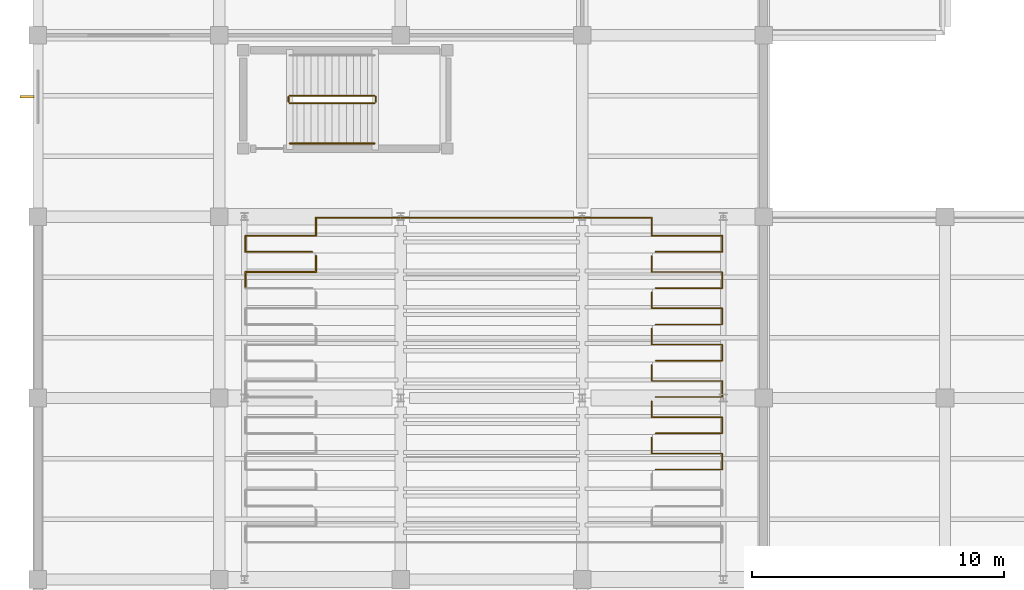
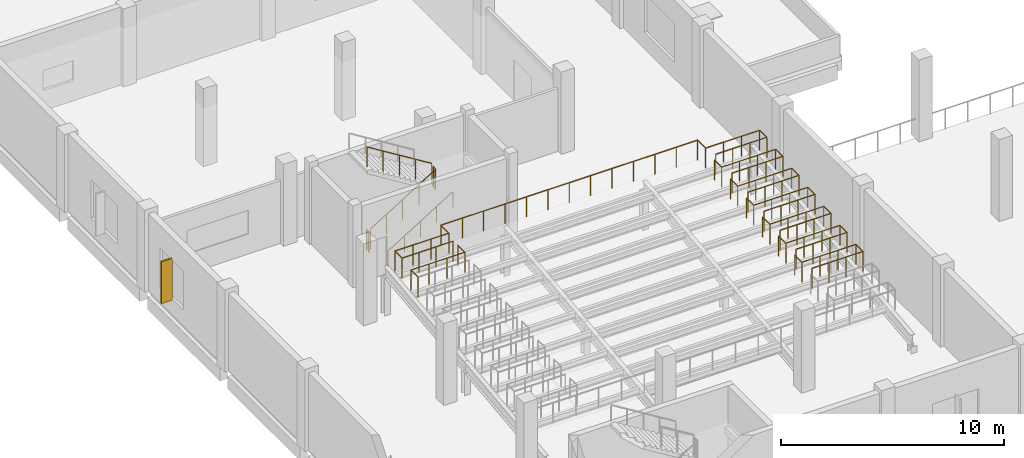
# One storey, part 96 of 108: 14 railings, 1 shading device.
"""IFC4 building model written with IfcOpenShell, lengths in metres."""

from ifc_helpers import new_model, si_unit, direction, frame, origin, origin_2d, place, context, subcontext, project, spatial, rectangle, circle, extrude, material, type_object, element, save


model = new_model("IFC4")

# Units and contexts
model_context = context("Model", 3, precision=1e-05, world=origin(), true_north=direction((0.0, 1.0)))
body_context = subcontext(model_context, "Body", "Model", "MODEL_VIEW")
ifc_project = project(units=[si_unit("LENGTHUNIT", "METRE"), si_unit("AREAUNIT", "SQUARE_METRE"), si_unit("VOLUMEUNIT", "CUBIC_METRE"), si_unit("PLANEANGLEUNIT", "RADIAN"), si_unit("MASSUNIT", "GRAM", prefix="KILO"), si_unit("THERMODYNAMICTEMPERATUREUNIT", "KELVIN"), si_unit("POWERUNIT", "WATT")], contexts=[model_context])

# Site, building, storey
site_placement = place(None, origin())
site = spatial("IfcSite", under=ifc_project, at=site_placement, CompositionType="ELEMENT")
building_placement = place(site_placement, origin())
building = spatial("IfcBuilding", under=site, at=building_placement, Name="Kaldorven Railside Theatre", CompositionType="ELEMENT")
storey_placement = place(building_placement, frame((0.0, 0.0, 5.39990234375)))
storey = spatial("IfcBuildingStorey", under=building, at=storey_placement, Name="L01", CompositionType="ELEMENT", Elevation=5.39990234375)

# Railings
ifc_material_1 = material(Name="Anodised bronze aluminium", Category="aluminium")
railing_type_1 = type_object("IfcRailingType", Name="RLG-BAL-1100", PredefinedType="BALUSTRADE", material=ifc_material_1)
railing_1_placement = place(storey_placement, frame((32.360107421875, 32.0400390625, 1.760009765625)))
element("IfcRailing", 1, at=railing_1_placement, inside=storey, type_object=railing_type_1, Name="L01 Auditorium Tier Safety Guard GR-075", PredefinedType="BALUSTRADE", context=body_context, shape_type="SweptSolid", body=[
    extrude(circle(Radius=0.02392578125, at=origin_2d()), frame((0.0, 0.0, 1.09619140625), z_axis=(0.0, -1.0, 0.0), x_axis=(1.0, 0.0, 0.0)), (0.0, 0.0, 1.0), 0.64013671875),
    extrude(circle(Radius=0.02392578125, at=origin_2d()), frame((0.0, -0.64013671875, 1.09619140625), z_axis=(1.0, 0.0, 0.0), x_axis=(0.0, 1.0, 0.0)), (0.0, 0.0, 1.0), 2.7998046875),
    extrude(circle(Radius=0.02392578125, at=origin_2d()), frame((2.7998046875, -0.64013671875, 1.09619140625), z_axis=(0.0, -1.0, 0.0), x_axis=(1.0, 0.0, 0.0)), (0.0, 0.0, 1.0), 0.639892578125),
    extrude(circle(Radius=0.02392578125, at=origin_2d()), frame((2.7998046875, -1.280029296875, 1.09619140625), z_axis=(-1.0, 0.0, 0.0), x_axis=(0.0, -1.0, 0.0)), (0.0, 0.0, 1.0), 2.64697265625),
    extrude(circle(Radius=0.02099609375, at=origin_2d()), origin(), (0.0, 0.0, 1.0), 1.072021484375),
    extrude(circle(Radius=0.02099609375, at=origin_2d()), frame((0.0, -0.64013671875, 0.0)), (0.0, 0.0, 1.0), 1.072021484375),
    extrude(circle(Radius=0.02099609375, at=origin_2d()), frame((0.933349609375, -0.64013671875, 0.0)), (0.0, 0.0, 1.0), 1.072021484375),
    extrude(circle(Radius=0.02099609375, at=origin_2d()), frame((1.866455078125, -0.64013671875, 0.0)), (0.0, 0.0, 1.0), 1.072021484375),
    extrude(circle(Radius=0.02099609375, at=origin_2d()), frame((2.7998046875, -0.64013671875, 0.0)), (0.0, 0.0, 1.0), 1.072021484375),
    extrude(circle(Radius=0.02099609375, at=origin_2d()), frame((2.7998046875, -1.280029296875, 0.0)), (0.0, 0.0, 1.0), 1.072021484375),
    extrude(circle(Radius=0.02099609375, at=origin_2d()), frame((1.91748046875, -1.280029296875, 0.0)), (0.0, 0.0, 1.0), 1.072021484375),
    extrude(circle(Radius=0.02099609375, at=origin_2d()), frame((1.03515625, -1.280029296875, 0.0)), (0.0, 0.0, 1.0), 1.072021484375),
    extrude(circle(Radius=0.02099609375, at=origin_2d()), frame((0.15283203125, -1.280029296875, 0.0)), (0.0, 0.0, 1.0), 1.072021484375),
])
railing_2_placement = place(storey_placement, frame((32.360107421875, 33.47998046875, 1.93017578125)))
element("IfcRailing", 2, at=railing_2_placement, inside=storey, type_object=railing_type_1, Name="L01 Auditorium Tier Safety Guard GR-078", PredefinedType="BALUSTRADE", context=body_context, shape_type="SweptSolid", body=[
    extrude(circle(Radius=0.02392578125, at=origin_2d()), frame((0.0, 0.0, 1.09619140625), z_axis=(0.0, -1.0, 0.0), x_axis=(1.0, 0.0, 0.0)), (0.0, 0.0, 1.0), 0.639892578125),
    extrude(circle(Radius=0.02392578125, at=origin_2d()), frame((0.0, -0.639892578125, 1.09619140625), z_axis=(1.0, 0.0, 0.0), x_axis=(0.0, 1.0, 0.0)), (0.0, 0.0, 1.0), 2.7998046875),
    extrude(circle(Radius=0.02392578125, at=origin_2d()), frame((2.7998046875, -0.639892578125, 1.09619140625), z_axis=(0.0, -1.0, 0.0), x_axis=(1.0, 0.0, 0.0)), (0.0, 0.0, 1.0), 0.64013671875),
    extrude(circle(Radius=0.02392578125, at=origin_2d()), frame((2.7998046875, -1.280029296875, 1.09619140625), z_axis=(-1.0, 0.0, 0.0), x_axis=(0.0, -1.0, 0.0)), (0.0, 0.0, 1.0), 2.64697265625),
    extrude(circle(Radius=0.02099609375, at=origin_2d()), origin(), (0.0, 0.0, 1.0), 1.072021484375),
    extrude(circle(Radius=0.02099609375, at=origin_2d()), frame((0.0, -0.639892578125, 0.0)), (0.0, 0.0, 1.0), 1.072021484375),
    extrude(circle(Radius=0.02099609375, at=origin_2d()), frame((0.933349609375, -0.639892578125, 0.0)), (0.0, 0.0, 1.0), 1.072021484375),
    extrude(circle(Radius=0.02099609375, at=origin_2d()), frame((1.866455078125, -0.639892578125, 0.0)), (0.0, 0.0, 1.0), 1.072021484375),
    extrude(circle(Radius=0.02099609375, at=origin_2d()), frame((2.7998046875, -0.639892578125, 0.0)), (0.0, 0.0, 1.0), 1.072021484375),
    extrude(circle(Radius=0.02099609375, at=origin_2d()), frame((2.7998046875, -1.280029296875, 0.0)), (0.0, 0.0, 1.0), 1.072021484375),
    extrude(circle(Radius=0.02099609375, at=origin_2d()), frame((1.91748046875, -1.280029296875, 0.0)), (0.0, 0.0, 1.0), 1.072021484375),
    extrude(circle(Radius=0.02099609375, at=origin_2d()), frame((1.03515625, -1.280029296875, 0.0)), (0.0, 0.0, 1.0), 1.072021484375),
    extrude(circle(Radius=0.02099609375, at=origin_2d()), frame((0.15283203125, -1.280029296875, 0.0)), (0.0, 0.0, 1.0), 1.072021484375),
])
railing_3_placement = place(storey_placement, frame((32.360107421875, 34.919921875, 2.10009765625)))
element("IfcRailing", 3, at=railing_3_placement, inside=storey, type_object=railing_type_1, Name="L01 Auditorium Tier Safety Guard GR-081", PredefinedType="BALUSTRADE", context=body_context, shape_type="SweptSolid", body=[
    extrude(circle(Radius=0.02392578125, at=origin_2d()), frame((0.0, 0.0, 1.09619140625), z_axis=(0.0, -1.0, 0.0), x_axis=(1.0, 0.0, 0.0)), (0.0, 0.0, 1.0), 0.639892578125),
    extrude(circle(Radius=0.02392578125, at=origin_2d()), frame((0.0, -0.639892578125, 1.09619140625), z_axis=(1.0, 0.0, 0.0), x_axis=(0.0, 1.0, 0.0)), (0.0, 0.0, 1.0), 2.7998046875),
    extrude(circle(Radius=0.02392578125, at=origin_2d()), frame((2.7998046875, -0.639892578125, 1.09619140625), z_axis=(0.0, -1.0, 0.0), x_axis=(1.0, 0.0, 0.0)), (0.0, 0.0, 1.0), 0.64013671875),
    extrude(circle(Radius=0.02392578125, at=origin_2d()), frame((2.7998046875, -1.280029296875, 1.09619140625), z_axis=(-1.0, 0.0, 0.0), x_axis=(0.0, -1.0, 0.0)), (0.0, 0.0, 1.0), 2.64697265625),
    extrude(circle(Radius=0.02099609375, at=origin_2d()), origin(), (0.0, 0.0, 1.0), 1.072021484375),
    extrude(circle(Radius=0.02099609375, at=origin_2d()), frame((0.0, -0.639892578125, 0.0)), (0.0, 0.0, 1.0), 1.072021484375),
    extrude(circle(Radius=0.02099609375, at=origin_2d()), frame((0.933349609375, -0.639892578125, 0.0)), (0.0, 0.0, 1.0), 1.072021484375),
    extrude(circle(Radius=0.02099609375, at=origin_2d()), frame((1.866455078125, -0.639892578125, 0.0)), (0.0, 0.0, 1.0), 1.072021484375),
    extrude(circle(Radius=0.02099609375, at=origin_2d()), frame((2.7998046875, -0.639892578125, 0.0)), (0.0, 0.0, 1.0), 1.072021484375),
    extrude(circle(Radius=0.02099609375, at=origin_2d()), frame((2.7998046875, -1.280029296875, 0.0)), (0.0, 0.0, 1.0), 1.072021484375),
    extrude(circle(Radius=0.02099609375, at=origin_2d()), frame((1.91748046875, -1.280029296875, 0.0)), (0.0, 0.0, 1.0), 1.072021484375),
    extrude(circle(Radius=0.02099609375, at=origin_2d()), frame((1.03515625, -1.280029296875, 0.0)), (0.0, 0.0, 1.0), 1.072021484375),
    extrude(circle(Radius=0.02099609375, at=origin_2d()), frame((0.15283203125, -1.280029296875, 0.0)), (0.0, 0.0, 1.0), 1.072021484375),
])
railing_4_placement = place(storey_placement, frame((32.360107421875, 36.360107421875, 2.27001953125)))
element("IfcRailing", 4, at=railing_4_placement, inside=storey, type_object=railing_type_1, Name="L01 Auditorium Tier Safety Guard GR-084", PredefinedType="BALUSTRADE", context=body_context, shape_type="SweptSolid", body=[
    extrude(circle(Radius=0.02392578125, at=origin_2d()), frame((0.0, 0.0, 1.09619140625), z_axis=(0.0, -1.0, 0.0), x_axis=(1.0, 0.0, 0.0)), (0.0, 0.0, 1.0), 0.64013671875),
    extrude(circle(Radius=0.02392578125, at=origin_2d()), frame((0.0, -0.64013671875, 1.09619140625), z_axis=(1.0, 0.0, 0.0), x_axis=(0.0, 1.0, 0.0)), (0.0, 0.0, 1.0), 2.7998046875),
    extrude(circle(Radius=0.02392578125, at=origin_2d()), frame((2.7998046875, -0.64013671875, 1.09619140625), z_axis=(0.0, -1.0, 0.0), x_axis=(1.0, 0.0, 0.0)), (0.0, 0.0, 1.0), 0.639892578125),
    extrude(circle(Radius=0.02392578125, at=origin_2d()), frame((2.7998046875, -1.280029296875, 1.09619140625), z_axis=(-1.0, 0.0, 0.0), x_axis=(0.0, -1.0, 0.0)), (0.0, 0.0, 1.0), 2.64697265625),
    extrude(circle(Radius=0.02099609375, at=origin_2d()), origin(), (0.0, 0.0, 1.0), 1.072021484375),
    extrude(circle(Radius=0.02099609375, at=origin_2d()), frame((0.0, -0.64013671875, 0.0)), (0.0, 0.0, 1.0), 1.072021484375),
    extrude(circle(Radius=0.02099609375, at=origin_2d()), frame((0.933349609375, -0.64013671875, 0.0)), (0.0, 0.0, 1.0), 1.072021484375),
    extrude(circle(Radius=0.02099609375, at=origin_2d()), frame((1.866455078125, -0.64013671875, 0.0)), (0.0, 0.0, 1.0), 1.072021484375),
    extrude(circle(Radius=0.02099609375, at=origin_2d()), frame((2.7998046875, -0.64013671875, 0.0)), (0.0, 0.0, 1.0), 1.072021484375),
    extrude(circle(Radius=0.02099609375, at=origin_2d()), frame((2.7998046875, -1.280029296875, 0.0)), (0.0, 0.0, 1.0), 1.072021484375),
    extrude(circle(Radius=0.02099609375, at=origin_2d()), frame((1.91748046875, -1.280029296875, 0.0)), (0.0, 0.0, 1.0), 1.072021484375),
    extrude(circle(Radius=0.02099609375, at=origin_2d()), frame((1.03515625, -1.280029296875, 0.0)), (0.0, 0.0, 1.0), 1.072021484375),
    extrude(circle(Radius=0.02099609375, at=origin_2d()), frame((0.15283203125, -1.280029296875, 0.0)), (0.0, 0.0, 1.0), 1.072021484375),
])
railing_5_placement = place(storey_placement, frame((32.360107421875, 37.800048828125, 2.440185546875)))
element("IfcRailing", 5, at=railing_5_placement, inside=storey, type_object=railing_type_1, Name="L01 Auditorium Tier Safety Guard GR-087", PredefinedType="BALUSTRADE", context=body_context, shape_type="SweptSolid", body=[
    extrude(circle(Radius=0.02392578125, at=origin_2d()), frame((0.0, 0.0, 1.09619140625), z_axis=(0.0, -1.0, 0.0), x_axis=(1.0, 0.0, 0.0)), (0.0, 0.0, 1.0), 0.64013671875),
    extrude(circle(Radius=0.02392578125, at=origin_2d()), frame((0.0, -0.64013671875, 1.09619140625), z_axis=(1.0, 0.0, 0.0), x_axis=(0.0, 1.0, 0.0)), (0.0, 0.0, 1.0), 2.7998046875),
    extrude(circle(Radius=0.02392578125, at=origin_2d()), frame((2.7998046875, -0.64013671875, 1.09619140625), z_axis=(0.0, -1.0, 0.0), x_axis=(1.0, 0.0, 0.0)), (0.0, 0.0, 1.0), 0.639892578125),
    extrude(circle(Radius=0.02392578125, at=origin_2d()), frame((2.7998046875, -1.280029296875, 1.09619140625), z_axis=(-1.0, 0.0, 0.0), x_axis=(0.0, -1.0, 0.0)), (0.0, 0.0, 1.0), 2.64697265625),
    extrude(circle(Radius=0.02099609375, at=origin_2d()), origin(), (0.0, 0.0, 1.0), 1.072021484375),
    extrude(circle(Radius=0.02099609375, at=origin_2d()), frame((0.0, -0.64013671875, 0.0)), (0.0, 0.0, 1.0), 1.072021484375),
    extrude(circle(Radius=0.02099609375, at=origin_2d()), frame((0.933349609375, -0.64013671875, 0.0)), (0.0, 0.0, 1.0), 1.072021484375),
    extrude(circle(Radius=0.02099609375, at=origin_2d()), frame((1.866455078125, -0.64013671875, 0.0)), (0.0, 0.0, 1.0), 1.072021484375),
    extrude(circle(Radius=0.02099609375, at=origin_2d()), frame((2.7998046875, -0.64013671875, 0.0)), (0.0, 0.0, 1.0), 1.072021484375),
    extrude(circle(Radius=0.02099609375, at=origin_2d()), frame((2.7998046875, -1.280029296875, 0.0)), (0.0, 0.0, 1.0), 1.072021484375),
    extrude(circle(Radius=0.02099609375, at=origin_2d()), frame((1.91748046875, -1.280029296875, 0.0)), (0.0, 0.0, 1.0), 1.072021484375),
    extrude(circle(Radius=0.02099609375, at=origin_2d()), frame((1.03515625, -1.280029296875, 0.0)), (0.0, 0.0, 1.0), 1.072021484375),
    extrude(circle(Radius=0.02099609375, at=origin_2d()), frame((0.15283203125, -1.280029296875, 0.0)), (0.0, 0.0, 1.0), 1.072021484375),
])
railing_6_placement = place(storey_placement, frame((16.239990234375, 37.9599609375, 2.610107421875)))
element("IfcRailing", 6, at=railing_6_placement, inside=storey, type_object=railing_type_1, Name="L01 Auditorium Tier Safety Guard GR-089", PredefinedType="BALUSTRADE", context=body_context, shape_type="SweptSolid", body=[
    extrude(circle(Radius=0.02392578125, at=origin_2d()), frame((0.0, 0.0, 1.09619140625), z_axis=(0.0, 1.0, 0.0), x_axis=(-1.0, 0.0, 0.0)), (0.0, 0.0, 1.0), 0.64013671875),
    extrude(circle(Radius=0.02392578125, at=origin_2d()), frame((0.0, 0.64013671875, 1.09619140625), z_axis=(1.0, 0.0, 0.0), x_axis=(0.0, 1.0, 0.0)), (0.0, 0.0, 1.0), 2.800048828125),
    extrude(circle(Radius=0.02392578125, at=origin_2d()), frame((2.800048828125, 0.64013671875, 1.09619140625), z_axis=(0.0, 1.0, 0.0), x_axis=(-1.0, 0.0, 0.0)), (0.0, 0.0, 1.0), 0.639892578125),
    extrude(circle(Radius=0.02099609375, at=origin_2d()), origin(), (0.0, 0.0, 1.0), 1.072021484375),
    extrude(circle(Radius=0.02099609375, at=origin_2d()), frame((0.0, 0.64013671875, 0.0)), (0.0, 0.0, 1.0), 1.072021484375),
    extrude(circle(Radius=0.02099609375, at=origin_2d()), frame((0.933349609375, 0.64013671875, 0.0)), (0.0, 0.0, 1.0), 1.072021484375),
    extrude(circle(Radius=0.02099609375, at=origin_2d()), frame((1.86669921875, 0.64013671875, 0.0)), (0.0, 0.0, 1.0), 1.072021484375),
    extrude(circle(Radius=0.02099609375, at=origin_2d()), frame((2.800048828125, 0.64013671875, 0.0)), (0.0, 0.0, 1.0), 1.072021484375),
    extrude(circle(Radius=0.02099609375, at=origin_2d()), frame((2.800048828125, 1.280029296875, 0.0)), (0.0, 0.0, 1.0), 1.072021484375),
])
railing_7_placement = place(storey_placement, frame((32.360107421875, 39.239990234375, 2.610107421875)))
element("IfcRailing", 7, at=railing_7_placement, inside=storey, type_object=railing_type_1, Name="L01 Auditorium Tier Safety Guard GR-090", PredefinedType="BALUSTRADE", context=body_context, shape_type="SweptSolid", body=[
    extrude(circle(Radius=0.02392578125, at=origin_2d()), frame((0.0, 0.0, 1.09619140625), z_axis=(0.0, -1.0, 0.0), x_axis=(1.0, 0.0, 0.0)), (0.0, 0.0, 1.0), 0.639892578125),
    extrude(circle(Radius=0.02392578125, at=origin_2d()), frame((0.0, -0.639892578125, 1.09619140625), z_axis=(1.0, 0.0, 0.0), x_axis=(0.0, 1.0, 0.0)), (0.0, 0.0, 1.0), 2.7998046875),
    extrude(circle(Radius=0.02392578125, at=origin_2d()), frame((2.7998046875, -0.639892578125, 1.09619140625), z_axis=(0.0, -1.0, 0.0), x_axis=(1.0, 0.0, 0.0)), (0.0, 0.0, 1.0), 0.64013671875),
    extrude(circle(Radius=0.02392578125, at=origin_2d()), frame((2.7998046875, -1.280029296875, 1.09619140625), z_axis=(-1.0, 0.0, 0.0), x_axis=(0.0, -1.0, 0.0)), (0.0, 0.0, 1.0), 2.64697265625),
    extrude(circle(Radius=0.02099609375, at=origin_2d()), origin(), (0.0, 0.0, 1.0), 1.072021484375),
    extrude(circle(Radius=0.02099609375, at=origin_2d()), frame((0.0, -0.639892578125, 0.0)), (0.0, 0.0, 1.0), 1.072021484375),
    extrude(circle(Radius=0.02099609375, at=origin_2d()), frame((0.933349609375, -0.639892578125, 0.0)), (0.0, 0.0, 1.0), 1.072021484375),
    extrude(circle(Radius=0.02099609375, at=origin_2d()), frame((1.866455078125, -0.639892578125, 0.0)), (0.0, 0.0, 1.0), 1.072021484375),
    extrude(circle(Radius=0.02099609375, at=origin_2d()), frame((2.7998046875, -0.639892578125, 0.0)), (0.0, 0.0, 1.0), 1.072021484375),
    extrude(circle(Radius=0.02099609375, at=origin_2d()), frame((2.7998046875, -1.280029296875, 0.0)), (0.0, 0.0, 1.0), 1.072021484375),
    extrude(circle(Radius=0.02099609375, at=origin_2d()), frame((1.91748046875, -1.280029296875, 0.0)), (0.0, 0.0, 1.0), 1.072021484375),
    extrude(circle(Radius=0.02099609375, at=origin_2d()), frame((1.03515625, -1.280029296875, 0.0)), (0.0, 0.0, 1.0), 1.072021484375),
    extrude(circle(Radius=0.02099609375, at=origin_2d()), frame((0.15283203125, -1.280029296875, 0.0)), (0.0, 0.0, 1.0), 1.072021484375),
])
railing_8_placement = place(storey_placement, frame((16.239990234375, 39.39990234375, 2.780029296875)))
element("IfcRailing", 8, at=railing_8_placement, inside=storey, type_object=railing_type_1, Name="L01 Auditorium Tier Safety Guard GR-092", PredefinedType="BALUSTRADE", context=body_context, shape_type="SweptSolid", body=[
    extrude(circle(Radius=0.02392578125, at=origin_2d()), frame((0.0, 0.0, 1.09619140625), z_axis=(0.0, 1.0, 0.0), x_axis=(-1.0, 0.0, 0.0)), (0.0, 0.0, 1.0), 0.64013671875),
    extrude(circle(Radius=0.02392578125, at=origin_2d()), frame((0.0, 0.64013671875, 1.09619140625), z_axis=(1.0, 0.0, 0.0), x_axis=(0.0, 1.0, 0.0)), (0.0, 0.0, 1.0), 2.800048828125),
    extrude(circle(Radius=0.02392578125, at=origin_2d()), frame((2.800048828125, 0.64013671875, 1.09619140625), z_axis=(0.0, 1.0, 0.0), x_axis=(-1.0, 0.0, 0.0)), (0.0, 0.0, 1.0), 0.719970703125),
    extrude(circle(Radius=0.02392578125, at=origin_2d()), frame((2.800048828125, 1.360107421875, 1.09619140625), z_axis=(1.0, 0.0, 0.0), x_axis=(0.0, 1.0, 0.0)), (0.0, 0.0, 1.0), 13.320068359375),
    extrude(circle(Radius=0.02392578125, at=origin_2d()), frame((16.1201171875, 1.360107421875, 1.09619140625), z_axis=(0.0, -1.0, 0.0), x_axis=(1.0, 0.0, 0.0)), (0.0, 0.0, 1.0), 0.719970703125),
    extrude(circle(Radius=0.02392578125, at=origin_2d()), frame((16.1201171875, 0.64013671875, 1.09619140625), z_axis=(1.0, 0.0, 0.0), x_axis=(0.0, 1.0, 0.0)), (0.0, 0.0, 1.0), 2.7998046875),
    extrude(circle(Radius=0.02392578125, at=origin_2d()), frame((18.919921875, 0.64013671875, 1.09619140625), z_axis=(0.0, -1.0, 0.0), x_axis=(1.0, 0.0, 0.0)), (0.0, 0.0, 1.0), 0.64013671875),
    extrude(circle(Radius=0.02392578125, at=origin_2d()), frame((18.919921875, 0.0, 1.09619140625), z_axis=(-1.0, 0.0, 0.0), x_axis=(0.0, -1.0, 0.0)), (0.0, 0.0, 1.0), 2.64697265625),
    extrude(circle(Radius=0.02099609375, at=origin_2d()), origin(), (0.0, 0.0, 1.0), 1.072021484375),
    extrude(circle(Radius=0.02099609375, at=origin_2d()), frame((0.0, 0.64013671875, 0.0)), (0.0, 0.0, 1.0), 1.072021484375),
    extrude(circle(Radius=0.02099609375, at=origin_2d()), frame((0.933349609375, 0.64013671875, 0.0)), (0.0, 0.0, 1.0), 1.072021484375),
    extrude(circle(Radius=0.02099609375, at=origin_2d()), frame((1.86669921875, 0.64013671875, 0.0)), (0.0, 0.0, 1.0), 1.072021484375),
    extrude(circle(Radius=0.02099609375, at=origin_2d()), frame((2.800048828125, 0.64013671875, 0.0)), (0.0, 0.0, 1.0), 1.072021484375),
    extrude(circle(Radius=0.02099609375, at=origin_2d()), frame((2.800048828125, 1.360107421875, 0.0)), (0.0, 0.0, 1.0), 1.072021484375),
    extrude(circle(Radius=0.02099609375, at=origin_2d()), frame((3.91015625, 1.360107421875, 0.0)), (0.0, 0.0, 1.0), 1.072021484375),
    extrude(circle(Radius=0.02099609375, at=origin_2d()), frame((5.02001953125, 1.360107421875, 0.0)), (0.0, 0.0, 1.0), 1.072021484375),
    extrude(circle(Radius=0.02099609375, at=origin_2d()), frame((6.130126953125, 1.360107421875, 0.0)), (0.0, 0.0, 1.0), 1.072021484375),
    extrude(circle(Radius=0.02099609375, at=origin_2d()), frame((7.239990234375, 1.360107421875, 0.0)), (0.0, 0.0, 1.0), 1.072021484375),
    extrude(circle(Radius=0.02099609375, at=origin_2d()), frame((8.35009765625, 1.360107421875, 0.0)), (0.0, 0.0, 1.0), 1.072021484375),
    extrude(circle(Radius=0.02099609375, at=origin_2d()), frame((9.4599609375, 1.360107421875, 0.0)), (0.0, 0.0, 1.0), 1.072021484375),
    extrude(circle(Radius=0.02099609375, at=origin_2d()), frame((10.570068359375, 1.360107421875, 0.0)), (0.0, 0.0, 1.0), 1.072021484375),
    extrude(circle(Radius=0.02099609375, at=origin_2d()), frame((11.68017578125, 1.360107421875, 0.0)), (0.0, 0.0, 1.0), 1.072021484375),
    extrude(circle(Radius=0.02099609375, at=origin_2d()), frame((12.7900390625, 1.360107421875, 0.0)), (0.0, 0.0, 1.0), 1.072021484375),
    extrude(circle(Radius=0.02099609375, at=origin_2d()), frame((13.900146484375, 1.360107421875, 0.0)), (0.0, 0.0, 1.0), 1.072021484375),
    extrude(circle(Radius=0.02099609375, at=origin_2d()), frame((15.010009765625, 1.360107421875, 0.0)), (0.0, 0.0, 1.0), 1.072021484375),
    extrude(circle(Radius=0.02099609375, at=origin_2d()), frame((16.1201171875, 1.360107421875, 0.0)), (0.0, 0.0, 1.0), 1.072021484375),
    extrude(circle(Radius=0.02099609375, at=origin_2d()), frame((16.1201171875, 0.64013671875, 0.0)), (0.0, 0.0, 1.0), 1.072021484375),
    extrude(circle(Radius=0.02099609375, at=origin_2d()), frame((17.053466796875, 0.64013671875, 0.0)), (0.0, 0.0, 1.0), 1.072021484375),
    extrude(circle(Radius=0.02099609375, at=origin_2d()), frame((17.986572265625, 0.64013671875, 0.0)), (0.0, 0.0, 1.0), 1.072021484375),
    extrude(circle(Radius=0.02099609375, at=origin_2d()), frame((18.919921875, 0.64013671875, 0.0)), (0.0, 0.0, 1.0), 1.072021484375),
    extrude(circle(Radius=0.02099609375, at=origin_2d()), frame((18.919921875, 0.0, 0.0)), (0.0, 0.0, 1.0), 1.072021484375),
    extrude(circle(Radius=0.02099609375, at=origin_2d()), frame((18.03759765625, 0.0, 0.0)), (0.0, 0.0, 1.0), 1.072021484375),
    extrude(circle(Radius=0.02099609375, at=origin_2d()), frame((17.1552734375, 0.0, 0.0)), (0.0, 0.0, 1.0), 1.072021484375),
    extrude(circle(Radius=0.02099609375, at=origin_2d()), frame((16.27294921875, 0.0, 0.0)), (0.0, 0.0, 1.0), 1.072021484375),
])
railing_9_placement = place(storey_placement, frame((18.886962890625, 39.39990234375, 2.780029296875)))
element("IfcRailing", 9, at=railing_9_placement, inside=storey, type_object=railing_type_1, Name="L01 Auditorium Tier Safety Guard GR-093", PredefinedType="BALUSTRADE", context=body_context, shape_type="SweptSolid", body=[
    extrude(circle(Radius=0.02392578125, at=origin_2d()), frame((0.0, 0.0, 1.09619140625), z_axis=(-1.0, 0.0, 0.0), x_axis=(0.0, -1.0, 0.0)), (0.0, 0.0, 1.0), 2.64697265625),
    extrude(circle(Radius=0.02099609375, at=origin_2d()), origin(), (0.0, 0.0, 1.0), 1.072021484375),
    extrude(circle(Radius=0.02099609375, at=origin_2d()), frame((-0.88232421875, 0.0, 0.0)), (0.0, 0.0, 1.0), 1.072021484375),
    extrude(circle(Radius=0.02099609375, at=origin_2d()), frame((-1.7646484375, 0.0, 0.0)), (0.0, 0.0, 1.0), 1.072021484375),
    extrude(circle(Radius=0.02099609375, at=origin_2d()), frame((-2.64697265625, 0.0, 0.0)), (0.0, 0.0, 1.0), 1.072021484375),
])
ifc_material_2 = material(Name="Steel S355", Category="steel")
railing_type_2 = type_object("IfcRailingType", Name="RLG-STG-1100", PredefinedType="BALUSTRADE", material=ifc_material_2)
railing_10_placement = place(storey_placement, frame((18.0, 45.300048828125, 0.173095703125)))
element("IfcRailing", 10, at=railing_10_placement, inside=storey, type_object=railing_type_2, Name="L01 ST-02 stair guard 1", PredefinedType="BALUSTRADE", context=body_context, shape_type="SweptSolid", body=[
    extrude(circle(Radius=0.02392578125, at=origin_2d()), frame((0.0, 0.0, 1.09619140625), z_axis=(0.850623216509, 0.0, 0.525775754039), x_axis=(0.0, 1.0, 0.0)), (0.0, 0.0, 1.0), 3.9501953125),
    extrude(circle(Radius=0.02099609375, at=origin_2d()), origin(), (0.0, 0.0, 1.0), 1.072021484375),
    extrude(circle(Radius=0.02099609375, at=origin_2d()), frame((0.840087890625, 0.0, 0.519287109375)), (0.0, 0.0, 1.0), 1.072021484375),
    extrude(circle(Radius=0.02099609375, at=origin_2d()), frame((1.68017578125, 0.0, 1.03857421875)), (0.0, 0.0, 1.0), 1.072021484375),
    extrude(circle(Radius=0.02099609375, at=origin_2d()), frame((2.52001953125, 0.0, 1.5576171875)), (0.0, 0.0, 1.0), 1.072021484375),
    extrude(circle(Radius=0.02099609375, at=origin_2d()), frame((3.360107421875, 0.0, 2.076904296875)), (0.0, 0.0, 1.0), 1.072021484375),
])
railing_11_placement = place(storey_placement, frame((21.409912109375, 45.35009765625, 2.25)))
element("IfcRailing", 11, at=railing_11_placement, inside=storey, type_object=railing_type_2, Name="L01 ST-02 stair guard 2", PredefinedType="BALUSTRADE", context=body_context, shape_type="SweptSolid", body=[
    extrude(circle(Radius=0.02392578125, at=origin_2d()), frame((0.0, 0.0, 1.09619140625), z_axis=(0.0, 1.0, 0.0), x_axis=(-1.0, 0.0, 0.0)), (0.0, 0.0, 1.0), 0.199951171875),
    extrude(circle(Radius=0.02099609375, at=origin_2d()), origin(), (0.0, 0.0, 1.0), 1.072021484375),
    extrude(circle(Radius=0.02099609375, at=origin_2d()), frame((0.0, 0.199951171875, 0.0)), (0.0, 0.0, 1.0), 1.072021484375),
])
railing_12_placement = place(storey_placement, frame((21.360107421875, 45.60009765625, 2.423095703125)))
element("IfcRailing", 12, at=railing_12_placement, inside=storey, type_object=railing_type_2, Name="L01 ST-02 stair guard 3", PredefinedType="BALUSTRADE", context=body_context, shape_type="SweptSolid", body=[
    extrude(circle(Radius=0.02392578125, at=origin_2d()), frame((0.0, 0.0, 1.09619140625), z_axis=(-0.850623216509, 0.0, 0.525775754039), x_axis=(0.0, -1.0, 0.0)), (0.0, 0.0, 1.0), 3.9501953125),
    extrude(circle(Radius=0.02099609375, at=origin_2d()), origin(), (0.0, 0.0, 1.0), 1.072021484375),
    extrude(circle(Radius=0.02099609375, at=origin_2d()), frame((-0.840087890625, 0.0, 0.519287109375)), (0.0, 0.0, 1.0), 1.072021484375),
    extrude(circle(Radius=0.02099609375, at=origin_2d()), frame((-1.68017578125, 0.0, 1.03857421875)), (0.0, 0.0, 1.0), 1.072021484375),
    extrude(circle(Radius=0.02099609375, at=origin_2d()), frame((-2.52001953125, 0.0, 1.5576171875)), (0.0, 0.0, 1.0), 1.072021484375),
    extrude(circle(Radius=0.02099609375, at=origin_2d()), frame((-3.360107421875, 0.0, 2.076904296875)), (0.0, 0.0, 1.0), 1.072021484375),
])
railing_13_placement = place(storey_placement, frame((17.949951171875, 45.35009765625, 0.0)))
element("IfcRailing", 13, at=railing_13_placement, inside=storey, type_object=railing_type_2, Name="L01 ST-02 stair guard 4", PredefinedType="BALUSTRADE", context=body_context, shape_type="SweptSolid", body=[
    extrude(circle(Radius=0.02392578125, at=origin_2d()), frame((0.0, 0.0, 1.09619140625), z_axis=(0.0, 1.0, 0.0), x_axis=(-1.0, 0.0, 0.0)), (0.0, 0.0, 1.0), 0.199951171875),
    extrude(circle(Radius=0.02099609375, at=origin_2d()), origin(), (0.0, 0.0, 1.0), 1.072021484375),
    extrude(circle(Radius=0.02099609375, at=origin_2d()), frame((0.0, 0.199951171875, 0.0)), (0.0, 0.0, 1.0), 1.072021484375),
])
railing_type_3 = type_object("IfcRailingType", Name="RLG-STH-900", PredefinedType="HANDRAIL", material=ifc_material_2)
railing_14_placement = place(storey_placement, frame((18.0, 43.699951171875, 0.173095703125)))
element("IfcRailing", 14, at=railing_14_placement, inside=storey, type_object=railing_type_3, Name="L01 ST-02 stair handrail 1", PredefinedType="HANDRAIL", context=body_context, shape_type="SweptSolid", body=[
    extrude(circle(Radius=0.02392578125, at=origin_2d()), frame((0.0, 0.0, 0.8759765625), z_axis=(0.850623216509, 0.0, 0.525775754039), x_axis=(0.0, 1.0, 0.0)), (0.0, 0.0, 1.0), 3.9501953125),
    extrude(circle(Radius=0.02099609375, at=origin_2d()), origin(), (0.0, 0.0, 1.0), 0.851806640625),
    extrude(circle(Radius=0.02099609375, at=origin_2d()), frame((0.840087890625, 0.0, 0.519287109375)), (0.0, 0.0, 1.0), 0.851806640625),
    extrude(circle(Radius=0.02099609375, at=origin_2d()), frame((1.68017578125, 0.0, 1.03857421875)), (0.0, 0.0, 1.0), 0.851806640625),
    extrude(circle(Radius=0.02099609375, at=origin_2d()), frame((2.52001953125, 0.0, 1.5576171875)), (0.0, 0.0, 1.0), 0.851806640625),
    extrude(circle(Radius=0.02099609375, at=origin_2d()), frame((3.360107421875, 0.0, 2.076904296875)), (0.0, 0.0, 1.0), 0.851806640625),
])

# Shading device
shading_device_type = type_object("IfcShadingDeviceType", Name="SHD-FIN-02", PredefinedType="USERDEFINED", material=ifc_material_1)
shading_device_placement = place(storey_placement, frame((7.569091796875, 45.550048828125, 0.80029296875), z_axis=(0.0, 0.0, 1.0), x_axis=(0.0, 1.0, 0.0)))
element("IfcShadingDevice", 15, at=shading_device_placement, inside=storey, type_object=shading_device_type, Name="Anodised-Bronze Brise-Soleil Fin FIN-010", ObjectType="SUNSHADE", PredefinedType="USERDEFINED", context=body_context, shape_type="SweptSolid", body=[
    extrude(rectangle(XDim=0.10009765625, YDim=0.550048828125, at=origin_2d()), origin(), (0.0, 0.0, 1.0), 2.300048828125),
])

save(model, "model.ifc")
